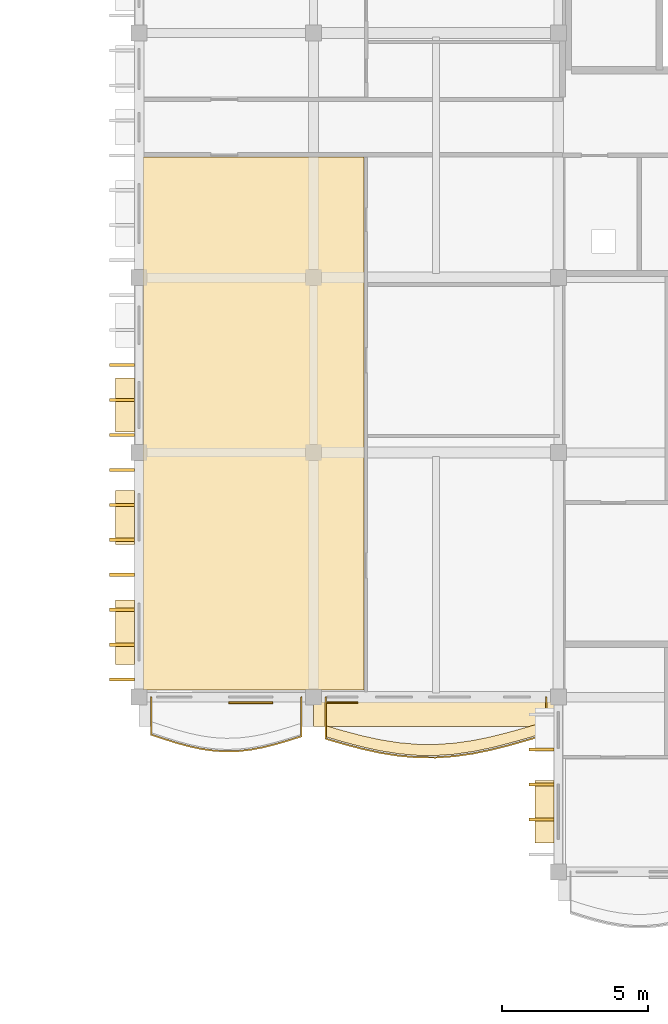
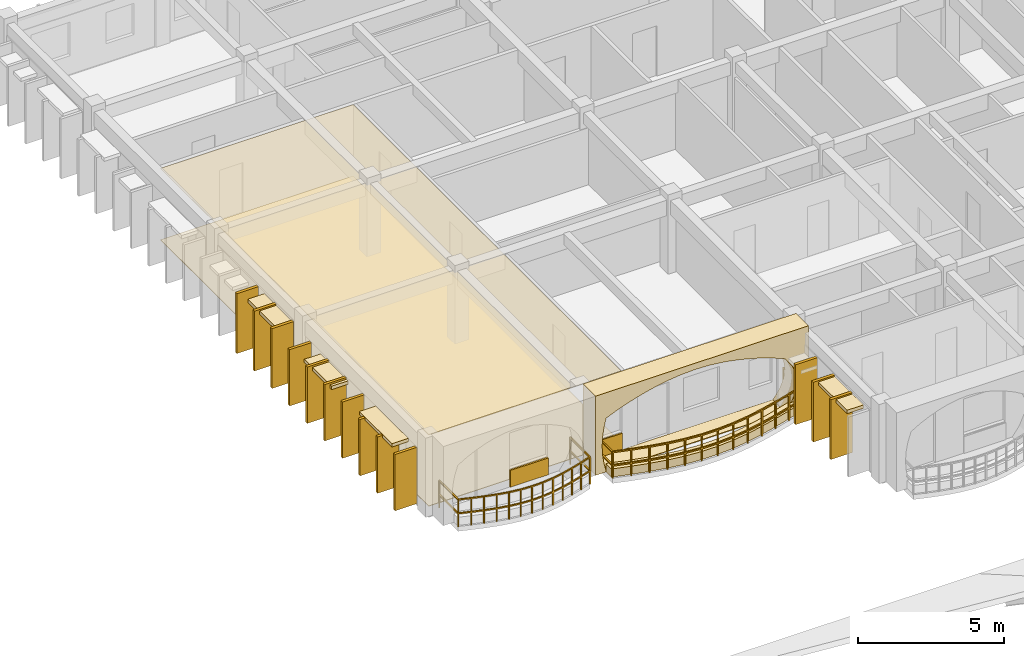
# One storey, part 91 of 101: 23 coverings, 2 railings.
"""IFC4 building model written with IfcOpenShell, lengths in metres."""

from ifc_helpers import new_model, si_unit, direction, frame, origin, origin_2d, place, context, subcontext, project, spatial, polyline, rectangle, outline, extrude, material, layer, layer_set, type_object, element, save


model = new_model("IFC4")

# Units and contexts
model_context = context("Model", 3, precision=1e-05, world=origin(), true_north=direction((0.0, 1.0)))
body_context = subcontext(model_context, "Body", "Model", "MODEL_VIEW")
ifc_project = project(units=[si_unit("LENGTHUNIT", "METRE"), si_unit("AREAUNIT", "SQUARE_METRE"), si_unit("VOLUMEUNIT", "CUBIC_METRE"), si_unit("PLANEANGLEUNIT", "RADIAN"), si_unit("MASSUNIT", "GRAM", prefix="KILO"), si_unit("THERMODYNAMICTEMPERATUREUNIT", "KELVIN")], contexts=[model_context])

# Site, building, storey
site_placement = place(None, origin())
site = spatial("IfcSite", under=ifc_project, at=site_placement, CompositionType="ELEMENT")
building_placement = place(site_placement, origin())
building = spatial("IfcBuilding", under=site, at=building_placement, Name="Thalorik Housing Commons", CompositionType="ELEMENT")
storey_placement = place(building_placement, frame((0.0, 0.0, 8.10009765625)))
storey = spatial("IfcBuildingStorey", under=building, at=storey_placement, Name="L02", CompositionType="ELEMENT", Elevation=8.10009765625)

# Coverings
ifc_material_1 = material(Name="Precast concrete C40/50", Category="concrete")
ifc_layer_1 = layer(ifc_material_1, 0.85009765625, Name="Precast concrete C40/50", Category="concrete")
ifc_layer_set_1 = layer_set([ifc_layer_1], Name="Precast concrete C40/50")
covering_type_1 = type_object("IfcCoveringType", Name="ARC-CLD-CUSH-850", PredefinedType="CLADDING", material=ifc_layer_set_1)
covering_1_placement = place(storey_placement, frame((148.199951171875, 42.62255859375, 0.0), z_axis=(0.0, 0.0, 1.0), x_axis=(1.0, 0.0, 0.0)))
element("IfcCovering", 1, at=covering_1_placement, inside=storey, type_object=covering_type_1, Name="L02 White Precast Curved Cushion Bay Frame 4657", PredefinedType="CLADDING", context=body_context, shape_type="SweptSolid", body=[
    extrude(outline(polyline([(-4.199951171875, 0.0), (4.199951171875, 0.0), (4.199951171875, 3.300048828125), (-4.199951171875, 3.300048828125), (-4.199951171875, 0.0)]), holes=[polyline([(3.280029296875, 0.02490234375), (3.541015625, 0.394287109375), (3.69775390625, 0.76318359375), (3.75, 1.132568359375), (3.69775390625, 1.501708984375), (3.541015625, 1.870849609375), (3.280029296875, 2.239990234375), (2.691650390625, 2.4833984375), (2.103271484375, 2.6748046875), (1.514892578125, 2.82958984375), (0.9267578125, 2.94482421875), (0.33837890625, 3.01611328125), (-0.25, 3.0400390625), (-0.83837890625, 3.01611328125), (-1.4267578125, 2.94482421875), (-2.014892578125, 2.82958984375), (-2.603271484375, 2.6748046875), (-3.191650390625, 2.4833984375), (-3.780029296875, 2.239990234375), (-3.86865234375, 1.870849609375), (-3.921875, 1.501708984375), (-3.939697265625, 1.132568359375), (-3.921875, 0.76318359375), (-3.86865234375, 0.394287109375), (-3.780029296875, 0.02490234375), (3.280029296875, 0.02490234375)])]), frame((0.0, 0.425048828125, 0.0), z_axis=(0.0, -1.0, 0.0), x_axis=(1.0, 0.0, 0.0)), (0.0, 0.0, 1.0), 0.85009765625),
])
ifc_layer_2 = layer(ifc_material_1, 0.85009765625, Name="Precast concrete C40/50", Category="concrete")
ifc_layer_set_2 = layer_set([ifc_layer_2], Name="Precast concrete C40/50")
covering_type_2 = type_object("IfcCoveringType", Name="ARC-CLD-FIN-850", PredefinedType="CLADDING", material=ifc_layer_set_2)
for number, where, z_axis, x_axis, name in (
    (2, (137.422607421875, 54.60009765625, 0.039794921875), (0.0, 0.0, 1.0), (0.0, -1.0, 0.0), "L02 Courtyard Precast Vertical Brise-Soleil Fin 4641"),
    (3, (137.422607421875, 53.39990234375, 0.039794921875), (0.0, 0.0, 1.0), (0.0, -1.0, 0.0), "L02 Courtyard Precast Vertical Brise-Soleil Fin 4642"),
    (4, (137.422607421875, 52.199951171875, 0.039794921875), (0.0, 0.0, 1.0), (0.0, -1.0, 0.0), "L02 Courtyard Precast Vertical Brise-Soleil Fin 4643"),
):
    element("IfcCovering", number, at=place(storey_placement, frame(where, z_axis=z_axis, x_axis=x_axis)), inside=storey, type_object=covering_type_2, Name=name, PredefinedType="CLADDING", context=body_context, shape_type="SweptSolid", body=[
        extrude(rectangle(XDim=0.110107421875, YDim=0.85009765625, at=origin_2d()), origin(), (0.0, 0.0, 1.0), 2.4951171875),
    ])
for number, where, z_axis, x_axis, name in (
    (5, (137.422607421875, 51.0, 0.0400390625), (0.0, 0.0, 1.0), (0.0, -1.0, 0.0), "L02 Courtyard Precast Vertical Brise-Soleil Fin 4646"),
    (6, (137.422607421875, 49.800048828125, 0.0400390625), (0.0, 0.0, 1.0), (0.0, -1.0, 0.0), "L02 Courtyard Precast Vertical Brise-Soleil Fin 4647"),
    (7, (137.422607421875, 48.60009765625, 0.0400390625), (0.0, 0.0, 1.0), (0.0, -1.0, 0.0), "L02 Courtyard Precast Vertical Brise-Soleil Fin 4648"),
    (8, (137.422607421875, 47.39990234375, 0.0400390625), (0.0, 0.0, 1.0), (0.0, -1.0, 0.0), "L02 Courtyard Precast Vertical Brise-Soleil Fin 4649"),
    (9, (137.422607421875, 46.199951171875, 0.0400390625), (0.0, 0.0, 1.0), (0.0, -1.0, 0.0), "L02 Courtyard Precast Vertical Brise-Soleil Fin 4650"),
    (10, (137.422607421875, 45.0, 0.0400390625), (0.0, 0.0, 1.0), (0.0, -1.0, 0.0), "L02 Courtyard Precast Vertical Brise-Soleil Fin 4651"),
    (11, (137.422607421875, 43.800048828125, 0.0400390625), (0.0, 0.0, 1.0), (0.0, -1.0, 0.0), "L02 Courtyard Precast Vertical Brise-Soleil Fin 4652"),
):
    element("IfcCovering", number, at=place(storey_placement, frame(where, z_axis=z_axis, x_axis=x_axis)), inside=storey, type_object=covering_type_2, Name=name, PredefinedType="CLADDING", context=body_context, shape_type="SweptSolid", body=[
        extrude(rectangle(XDim=0.110107421875, YDim=0.85009765625, at=origin_2d()), origin(), (0.0, 0.0, 1.0), 2.344970703125),
    ])
for number, where, z_axis, x_axis, name in (
    (12, (151.822509765625, 41.39990234375, 0.039794921875), (0.0, 0.0, 1.0), (0.0, -1.0, 0.0), "L02 Courtyard Precast Vertical Brise-Soleil Fin 4660"),
    (13, (151.822509765625, 40.199951171875, 0.039794921875), (0.0, 0.0, 1.0), (0.0, -1.0, 0.0), "L02 Courtyard Precast Vertical Brise-Soleil Fin 4661"),
    (14, (151.822509765625, 39.0, 0.039794921875), (0.0, 0.0, 1.0), (0.0, -1.0, 0.0), "L02 Courtyard Precast Vertical Brise-Soleil Fin 4662"),
):
    element("IfcCovering", number, at=place(storey_placement, frame(where, z_axis=z_axis, x_axis=x_axis)), inside=storey, type_object=covering_type_2, Name=name, PredefinedType="CLADDING", context=body_context, shape_type="SweptSolid", body=[
        extrude(rectangle(XDim=0.110107421875, YDim=0.85009765625, at=origin_2d()), origin(), (0.0, 0.0, 1.0), 2.4951171875),
    ])
ifc_layer_3 = layer(ifc_material_1, 0.64990234375, Name="Precast concrete C40/50", Category="concrete")
ifc_layer_set_3 = layer_set([ifc_layer_3], Name="Precast concrete C40/50")
covering_type_3 = type_object("IfcCoveringType", Name="ARC-CLD-HOOD-650", PredefinedType="CLADDING", material=ifc_layer_set_3)
covering_2_placement = place(storey_placement, frame((137.5224609375, 53.22998046875, 2.33984375), z_axis=(0.0, 0.0, 1.0), x_axis=(0.0, -1.0, 0.0)))
element("IfcCovering", 15, at=covering_2_placement, inside=storey, type_object=covering_type_3, Name="L02 Courtyard Precast Window Sun-Hood 4645", PredefinedType="CLADDING", context=body_context, shape_type="SweptSolid", body=[
    extrude(rectangle(XDim=1.840087890625, YDim=0.64990234375, at=origin_2d()), origin(), (0.0, 0.0, 1.0), 0.139892578125),
])
covering_3_placement = place(storey_placement, frame((137.5224609375, 49.3701171875, 2.169921875), z_axis=(0.0, 0.0, 1.0), x_axis=(0.0, -1.0, 0.0)))
element("IfcCovering", 16, at=covering_3_placement, inside=storey, type_object=covering_type_3, Name="L02 Courtyard Precast Window Sun-Hood 4653", PredefinedType="CLADDING", context=body_context, shape_type="SweptSolid", body=[
    extrude(rectangle(XDim=1.860107421875, YDim=0.64990234375, at=origin_2d()), origin(), (0.0, 0.0, 1.0), 0.139892578125),
])
covering_4_placement = place(storey_placement, frame((137.5224609375, 45.429931640625, 2.27490234375), z_axis=(0.0, 0.0, 1.0), x_axis=(0.0, -1.0, 0.0)))
element("IfcCovering", 17, at=covering_4_placement, inside=storey, type_object=covering_type_3, Name="L02 Courtyard Precast Window Sun-Hood 4654", PredefinedType="CLADDING", context=body_context, shape_type="SweptSolid", body=[
    extrude(rectangle(XDim=2.219970703125, YDim=0.64990234375, at=origin_2d()), origin(), (0.0, 0.0, 1.0), 0.139892578125),
])
covering_5_placement = place(storey_placement, frame((151.922607421875, 39.264892578125, 2.33984375), z_axis=(0.0, 0.0, 1.0), x_axis=(0.0, -1.0, 0.0)))
element("IfcCovering", 18, at=covering_5_placement, inside=storey, type_object=covering_type_3, Name="L02 Courtyard Precast Window Sun-Hood 4665", PredefinedType="CLADDING", context=body_context, shape_type="SweptSolid", body=[
    extrude(rectangle(XDim=2.139892578125, YDim=0.64990234375, at=origin_2d()), origin(), (0.0, 0.0, 1.0), 0.139892578125),
])
ifc_material_2 = material(Name="Terracotta red mineral fibre-cement panel", Category="masonry")
ifc_layer_4 = layer(ifc_material_2, 0.054931640625, Name="Terracotta red mineral fibre-cement panel", Category="masonry")
ifc_layer_set_4 = layer_set([ifc_layer_4], Name="Terracotta red mineral fibre-cement panel")
covering_type_4 = type_object("IfcCoveringType", Name="ARC-CLD-RED-55", PredefinedType="CLADDING", material=ifc_layer_set_4)
covering_6_placement = place(storey_placement, frame((144.9951171875, 43.014892578125, 0.0498046875), z_axis=(0.0, 0.0, 1.0), x_axis=(1.0, 0.0, 0.0)))
element("IfcCovering", 19, at=covering_6_placement, inside=storey, type_object=covering_type_4, Name="L02 De Stijl Recessed Window Spandrel 4658", PredefinedType="CLADDING", context=body_context, shape_type="SweptSolid", body=[
    extrude(rectangle(XDim=1.050048828125, YDim=0.054931640625, at=origin_2d()), origin(), (0.0, 0.0, 1.0), 0.699951171875),
])
ifc_material_3 = material(Name="Mineral ochre architectural terracotta panel", Category="masonry")
ifc_layer_5 = layer(ifc_material_3, 0.06494140625, Name="Mineral ochre architectural terracotta panel", Category="masonry")
ifc_layer_set_5 = layer_set([ifc_layer_5], Name="Mineral ochre architectural terracotta panel")
covering_type_5 = type_object("IfcCoveringType", Name="ARC-CLD-YEL-65", PredefinedType="CLADDING", material=ifc_layer_set_5)
covering_7_placement = place(storey_placement, frame((141.840087890625, 43.010009765625, 0.0498046875), z_axis=(0.0, 0.0, 1.0), x_axis=(1.0, 0.0, 0.0)))
element("IfcCovering", 20, at=covering_7_placement, inside=storey, type_object=covering_type_5, Name="L02 De Stijl Recessed Window Spandrel 4656", PredefinedType="CLADDING", context=body_context, shape_type="SweptSolid", body=[
    extrude(rectangle(XDim=1.5, YDim=0.06494140625, at=origin_2d()), origin(), (0.0, 0.0, 1.0), 0.699951171875),
])
ifc_material_4 = material(Name="Moisture-resistant gypsum bathroom ceiling")
ifc_layer_6 = layer(ifc_material_4, 0.02490234375, Name="Moisture-resistant gypsum bathroom ceiling")
ifc_layer_set_6 = layer_set([ifc_layer_6], Name="Moisture-resistant gypsum bathroom ceiling")
covering_type_6 = type_object("IfcCoveringType", Name="ARC-COV-CEIL-04", PredefinedType="CEILING", material=ifc_layer_set_6)
covering_8_placement = place(storey_placement, frame((0.0, 0.0, 2.974853515625)))
element("IfcCovering", 21, at=covering_8_placement, inside=storey, type_object=covering_type_6, Name="L02 Living Dining Room Suspended Ceiling", PredefinedType="CEILING", context=body_context, shape_type="SweptSolid", body=[
    extrude(outline(polyline([(145.72998046875, 43.43994140625), (145.72998046875, 61.739990234375), (138.139892578125, 61.739990234375), (138.139892578125, 43.43994140625), (145.72998046875, 43.43994140625)])), origin(), (0.0, 0.0, 1.0), 0.025146484375),
])
ifc_material_5 = material(Name="Sprung Brazilian oak assembly hall timber floor", Category="wood")
ifc_layer_7 = layer(ifc_material_5, 0.02392578125, Name="Sprung Brazilian oak assembly hall timber floor", Category="wood")
ifc_layer_set_7 = layer_set([ifc_layer_7], Name="Sprung Brazilian oak assembly hall timber floor")
covering_type_7 = type_object("IfcCoveringType", Name="ARC-COV-FLR-04", PredefinedType="FLOORING", material=ifc_layer_set_7)
covering_9_placement = place(storey_placement, origin())
element("IfcCovering", 22, at=covering_9_placement, inside=storey, type_object=covering_type_7, Name="L02 Living Dining Room Flooring", PredefinedType="FLOORING", context=body_context, shape_type="SweptSolid", body=[
    extrude(outline(polyline([(145.72998046875, 43.43994140625), (145.72998046875, 61.739990234375), (138.139892578125, 61.739990234375), (138.139892578125, 43.43994140625), (145.72998046875, 43.43994140625)])), origin(), (0.0, 0.0, 1.0), 0.02392578125),
])
ifc_material_6 = material(Name="Planted vegetated substrate and terracotta trough", Category="masonry")
ifc_layer_8 = layer(ifc_material_6, 0.340087890625, Name="Planted vegetated substrate and terracotta trough", Category="masonry")
ifc_layer_set_8 = layer_set([ifc_layer_8], Name="Planted vegetated substrate and terracotta trough")
covering_type_8 = type_object("IfcCoveringType", Name="ARC-COV-PLANTER", PredefinedType="USERDEFINED", material=ifc_layer_set_8)
covering_10_placement = place(storey_placement, origin())
element("IfcCovering", 23, at=covering_10_placement, inside=storey, type_object=covering_type_8, Name="L02 Balcony Slab-Edge Planted Trough 5654", ObjectType="PLANTER", PredefinedType="USERDEFINED", context=body_context, shape_type="SweptSolid", body=[
    extrude(outline(polyline([(144.419921875, 41.836181640625), (145.050048828125, 41.653076171875), (145.679931640625, 41.487548828125), (146.31005859375, 41.35107421875), (146.93994140625, 41.252685546875), (147.570068359375, 41.19921875), (148.199951171875, 41.194580078125), (148.830078125, 41.23876953125), (149.4599609375, 41.328369140625), (150.090087890625, 41.45751953125), (150.719970703125, 41.61669921875), (151.35009765625, 41.795166015625), (151.97998046875, 41.980712890625), (151.97998046875, 42.360595703125), (151.35009765625, 42.17529296875), (150.719970703125, 41.99658203125), (150.090087890625, 41.83740234375), (149.4599609375, 41.708251953125), (148.830078125, 41.61865234375), (148.199951171875, 41.57470703125), (147.570068359375, 41.579345703125), (146.93994140625, 41.632568359375), (146.31005859375, 41.73095703125), (145.679931640625, 41.86767578125), (145.050048828125, 42.033203125), (144.419921875, 42.21630859375), (144.419921875, 41.836181640625)])), origin(), (0.0, 0.0, 1.0), 0.33984375),
])

# Railings
ifc_material_7 = material(Name="Steel S355", Category="steel")
railing_type_1 = type_object("IfcRailingType", Name="ARC-RL-BAL-112", PredefinedType="BALUSTRADE", material=ifc_material_7)
railing_1_placement = place(storey_placement, frame((144.419921875, 43.199951171875, 0.0)))
element("IfcRailing", 24, at=railing_1_placement, inside=storey, type_object=railing_type_1, Name="L02 Cushion Balcony Guardrail 338", PredefinedType="BALUSTRADE", context=body_context, shape_type="SweptSolid", body=[
    extrude(rectangle(XDim=0.050048828125, YDim=0.050048828125, at=origin_2d()), frame((0.0, 0.0, 1.09521484375), z_axis=(0.0, -1.0, 0.0), x_axis=(1.0, 0.0, 0.0)), (0.0, 0.0, 1.0), 1.433837890625),
    extrude(rectangle(XDim=0.050048828125, YDim=0.050048828125, at=origin_2d()), frame((0.0, 0.0, 0.53515625), z_axis=(0.0, -1.0, 0.0), x_axis=(1.0, 0.0, 0.0)), (0.0, 0.0, 1.0), 1.433837890625),
    extrude(rectangle(XDim=0.050048828125, YDim=0.050048828125, at=origin_2d()), frame((0.0, -1.433837890625, 1.09521484375), z_axis=(0.960278714224, -0.279042632959, 0.0), x_axis=(0.279042632959, 0.960278714224, 0.0)), (0.0, 0.0, 1.0), 0.65625),
    extrude(rectangle(XDim=0.050048828125, YDim=0.050048828125, at=origin_2d()), frame((0.0, -1.433837890625, 0.53515625), z_axis=(0.960278714224, -0.279042632959, 0.0), x_axis=(0.279042632959, 0.960278714224, 0.0)), (0.0, 0.0, 1.0), 0.65625),
    extrude(rectangle(XDim=0.050048828125, YDim=0.050048828125, at=origin_2d()), frame((0.630126953125, -1.616943359375, 1.09521484375), z_axis=(0.967161884904, -0.254161146498, 0.0), x_axis=(0.254161146498, 0.967161884904, 0.0)), (0.0, 0.0, 1.0), 0.6513671875),
    extrude(rectangle(XDim=0.050048828125, YDim=0.050048828125, at=origin_2d()), frame((0.630126953125, -1.616943359375, 0.53515625), z_axis=(0.967161884904, -0.254161146498, 0.0), x_axis=(0.254161146498, 0.967161884904, 0.0)), (0.0, 0.0, 1.0), 0.6513671875),
    extrude(rectangle(XDim=0.050048828125, YDim=0.050048828125, at=origin_2d()), frame((1.260009765625, -1.782470703125, 1.09521484375), z_axis=(0.977340116127, -0.211674980595, 0.0), x_axis=(0.211674980595, 0.977340116127, 0.0)), (0.0, 0.0, 1.0), 0.644775390625),
    extrude(rectangle(XDim=0.050048828125, YDim=0.050048828125, at=origin_2d()), frame((1.260009765625, -1.782470703125, 0.53515625), z_axis=(0.977340116127, -0.211674980595, 0.0), x_axis=(0.211674980595, 0.977340116127, 0.0)), (0.0, 0.0, 1.0), 0.644775390625),
    extrude(rectangle(XDim=0.050048828125, YDim=0.050048828125, at=origin_2d()), frame((1.89013671875, -1.9189453125, 1.09521484375), z_axis=(0.988019333947, -0.154330151775, 0.0), x_axis=(0.154330151775, 0.988019333947, 0.0)), (0.0, 0.0, 1.0), 0.637451171875),
    extrude(rectangle(XDim=0.050048828125, YDim=0.050048828125, at=origin_2d()), frame((1.89013671875, -1.9189453125, 0.53515625), z_axis=(0.988019333947, -0.154330151775, 0.0), x_axis=(0.154330151775, 0.988019333947, 0.0)), (0.0, 0.0, 1.0), 0.637451171875),
    extrude(rectangle(XDim=0.050048828125, YDim=0.050048828125, at=origin_2d()), frame((2.52001953125, -2.017333984375, 1.09521484375), z_axis=(0.996451941002, -0.084163705207, 0.0), x_axis=(0.084163705207, 0.996451941002, 0.0)), (0.0, 0.0, 1.0), 0.63232421875),
    extrude(rectangle(XDim=0.050048828125, YDim=0.050048828125, at=origin_2d()), frame((2.52001953125, -2.017333984375, 0.53515625), z_axis=(0.996451941002, -0.084163705207, 0.0), x_axis=(0.084163705207, 0.996451941002, 0.0)), (0.0, 0.0, 1.0), 0.63232421875),
    extrude(rectangle(XDim=0.050048828125, YDim=0.050048828125, at=origin_2d()), frame((3.150146484375, -2.070556640625, 1.09521484375), z_axis=(0.999969955083, -0.007751705078, 0.0), x_axis=(0.007751705078, 0.999969955083, 0.0)), (0.0, 0.0, 1.0), 0.6298828125),
    extrude(rectangle(XDim=0.050048828125, YDim=0.050048828125, at=origin_2d()), frame((3.150146484375, -2.070556640625, 0.53515625), z_axis=(0.999969955083, -0.007751705078, 0.0), x_axis=(0.007751705078, 0.999969955083, 0.0)), (0.0, 0.0, 1.0), 0.6298828125),
    extrude(rectangle(XDim=0.050048828125, YDim=0.050048828125, at=origin_2d()), frame((3.780029296875, -2.075439453125, 1.09521484375), z_axis=(0.997550074509, 0.069956049394, 0.0), x_axis=(-0.069956049394, 0.997550074509, 0.0)), (0.0, 0.0, 1.0), 0.631591796875),
    extrude(rectangle(XDim=0.050048828125, YDim=0.050048828125, at=origin_2d()), frame((3.780029296875, -2.075439453125, 0.53515625), z_axis=(0.997550074509, 0.069956049394, 0.0), x_axis=(-0.069956049394, 0.997550074509, 0.0)), (0.0, 0.0, 1.0), 0.631591796875),
    extrude(rectangle(XDim=0.050048828125, YDim=0.050048828125, at=origin_2d()), frame((4.41015625, -2.03125, 1.09521484375), z_axis=(0.990033738759, 0.140830380668, 0.0), x_axis=(-0.140830380668, 0.990033738759, 0.0)), (0.0, 0.0, 1.0), 0.63623046875),
    extrude(rectangle(XDim=0.050048828125, YDim=0.050048828125, at=origin_2d()), frame((4.41015625, -2.03125, 0.53515625), z_axis=(0.990033738759, 0.140830380668, 0.0), x_axis=(-0.140830380668, 0.990033738759, 0.0)), (0.0, 0.0, 1.0), 0.63623046875),
    extrude(rectangle(XDim=0.050048828125, YDim=0.050048828125, at=origin_2d()), frame((5.0400390625, -1.941650390625, 1.09521484375), z_axis=(0.979635255397, 0.200785373927, 0.0), x_axis=(-0.200785373927, 0.979635255397, 0.0)), (0.0, 0.0, 1.0), 0.643310546875),
    extrude(rectangle(XDim=0.050048828125, YDim=0.050048828125, at=origin_2d()), frame((5.0400390625, -1.941650390625, 0.53515625), z_axis=(0.979635255397, 0.200785373927, 0.0), x_axis=(-0.200785373927, 0.979635255397, 0.0)), (0.0, 0.0, 1.0), 0.643310546875),
    extrude(rectangle(XDim=0.050048828125, YDim=0.050048828125, at=origin_2d()), frame((5.670166015625, -1.8125, 1.09521484375), z_axis=(0.969520404283, 0.245010582788, 0.0), x_axis=(-0.245010582788, 0.969520404283, 0.0)), (0.0, 0.0, 1.0), 0.649658203125),
    extrude(rectangle(XDim=0.050048828125, YDim=0.050048828125, at=origin_2d()), frame((5.670166015625, -1.8125, 0.53515625), z_axis=(0.969520404283, 0.245010582788, 0.0), x_axis=(-0.245010582788, 0.969520404283, 0.0)), (0.0, 0.0, 1.0), 0.649658203125),
    extrude(rectangle(XDim=0.050048828125, YDim=0.050048828125, at=origin_2d()), frame((6.300048828125, -1.6533203125, 1.09521484375), z_axis=(0.962154423702, 0.272504798034, 0.0), x_axis=(-0.272504798034, 0.962154423702, 0.0)), (0.0, 0.0, 1.0), 0.655029296875),
    extrude(rectangle(XDim=0.050048828125, YDim=0.050048828125, at=origin_2d()), frame((6.300048828125, -1.6533203125, 0.53515625), z_axis=(0.962154423702, 0.272504798034, 0.0), x_axis=(-0.272504798034, 0.962154423702, 0.0)), (0.0, 0.0, 1.0), 0.655029296875),
    extrude(rectangle(XDim=0.050048828125, YDim=0.050048828125, at=origin_2d()), frame((6.93017578125, -1.474853515625, 1.09521484375), z_axis=(0.959247009086, 0.282568886397, 0.0), x_axis=(-0.282568886397, 0.959247009086, 0.0)), (0.0, 0.0, 1.0), 0.65673828125),
    extrude(rectangle(XDim=0.050048828125, YDim=0.050048828125, at=origin_2d()), frame((6.93017578125, -1.474853515625, 0.53515625), z_axis=(0.959247009086, 0.282568886397, 0.0), x_axis=(-0.282568886397, 0.959247009086, 0.0)), (0.0, 0.0, 1.0), 0.65673828125),
    extrude(rectangle(XDim=0.050048828125, YDim=0.050048828125, at=origin_2d()), frame((7.56005859375, -1.289306640625, 1.09521484375), z_axis=(0.0, 1.0, 0.0), x_axis=(-1.0, 0.0, 0.0)), (0.0, 0.0, 1.0), 1.289306640625),
    extrude(rectangle(XDim=0.050048828125, YDim=0.050048828125, at=origin_2d()), frame((7.56005859375, -1.289306640625, 0.53515625), z_axis=(0.0, 1.0, 0.0), x_axis=(-1.0, 0.0, 0.0)), (0.0, 0.0, 1.0), 1.289306640625),
    extrude(rectangle(XDim=0.0419921875, YDim=0.0419921875, at=origin_2d()), origin(), (0.0, 0.0, 1.0), 1.070068359375),
    extrude(rectangle(XDim=0.0419921875, YDim=0.0419921875, at=origin_2d()), frame((0.0, -1.433837890625, 0.0)), (0.0, 0.0, 1.0), 1.070068359375),
    extrude(rectangle(XDim=0.0419921875, YDim=0.0419921875, at=origin_2d()), frame((0.630126953125, -1.616943359375, 0.0)), (0.0, 0.0, 1.0), 1.070068359375),
    extrude(rectangle(XDim=0.0419921875, YDim=0.0419921875, at=origin_2d()), frame((1.260009765625, -1.782470703125, 0.0)), (0.0, 0.0, 1.0), 1.070068359375),
    extrude(rectangle(XDim=0.0419921875, YDim=0.0419921875, at=origin_2d()), frame((1.89013671875, -1.9189453125, 0.0)), (0.0, 0.0, 1.0), 1.070068359375),
    extrude(rectangle(XDim=0.0419921875, YDim=0.0419921875, at=origin_2d()), frame((2.52001953125, -2.017333984375, 0.0)), (0.0, 0.0, 1.0), 1.070068359375),
    extrude(rectangle(XDim=0.0419921875, YDim=0.0419921875, at=origin_2d()), frame((3.150146484375, -2.070556640625, 0.0)), (0.0, 0.0, 1.0), 1.070068359375),
    extrude(rectangle(XDim=0.0419921875, YDim=0.0419921875, at=origin_2d()), frame((3.780029296875, -2.075439453125, 0.0)), (0.0, 0.0, 1.0), 1.070068359375),
    extrude(rectangle(XDim=0.0419921875, YDim=0.0419921875, at=origin_2d()), frame((4.41015625, -2.03125, 0.0)), (0.0, 0.0, 1.0), 1.070068359375),
    extrude(rectangle(XDim=0.0419921875, YDim=0.0419921875, at=origin_2d()), frame((5.0400390625, -1.941650390625, 0.0)), (0.0, 0.0, 1.0), 1.070068359375),
    extrude(rectangle(XDim=0.0419921875, YDim=0.0419921875, at=origin_2d()), frame((5.670166015625, -1.8125, 0.0)), (0.0, 0.0, 1.0), 1.070068359375),
    extrude(rectangle(XDim=0.0419921875, YDim=0.0419921875, at=origin_2d()), frame((6.300048828125, -1.6533203125, 0.0)), (0.0, 0.0, 1.0), 1.070068359375),
    extrude(rectangle(XDim=0.0419921875, YDim=0.0419921875, at=origin_2d()), frame((6.93017578125, -1.474853515625, 0.0)), (0.0, 0.0, 1.0), 1.070068359375),
    extrude(rectangle(XDim=0.0419921875, YDim=0.0419921875, at=origin_2d()), frame((7.56005859375, -1.289306640625, 0.0)), (0.0, 0.0, 1.0), 1.070068359375),
    extrude(rectangle(XDim=0.0419921875, YDim=0.0419921875, at=origin_2d()), frame((7.56005859375, 0.0, 0.0)), (0.0, 0.0, 1.0), 1.070068359375),
])
railing_type_2 = type_object("IfcRailingType", Name="ARC-RL-BAL-115", PredefinedType="BALUSTRADE", material=ifc_material_7)
railing_2_placement = place(storey_placement, frame((138.419921875, 43.199951171875, 0.0)))
element("IfcRailing", 25, at=railing_2_placement, inside=storey, type_object=railing_type_2, Name="L02 Cushion Balcony Guardrail 337", PredefinedType="BALUSTRADE", context=body_context, shape_type="SweptSolid", body=[
    extrude(rectangle(XDim=0.050048828125, YDim=0.050048828125, at=origin_2d()), frame((0.0, 0.0, 1.125), z_axis=(0.0, -1.0, 0.0), x_axis=(1.0, 0.0, 0.0)), (0.0, 0.0, 1.0), 1.291748046875),
    extrude(rectangle(XDim=0.050048828125, YDim=0.050048828125, at=origin_2d()), frame((0.0, 0.0, 0.5498046875), z_axis=(0.0, -1.0, 0.0), x_axis=(1.0, 0.0, 0.0)), (0.0, 0.0, 1.0), 1.291748046875),
    extrude(rectangle(XDim=0.050048828125, YDim=0.050048828125, at=origin_2d()), frame((0.0, -1.291748046875, 1.125), z_axis=(0.949059662194, -0.31509642587, 0.0), x_axis=(0.31509642587, 0.949059662194, 0.0)), (0.0, 0.0, 1.0), 0.453369140625),
    extrude(rectangle(XDim=0.050048828125, YDim=0.050048828125, at=origin_2d()), frame((0.0, -1.291748046875, 0.5498046875), z_axis=(0.949059662194, -0.31509642587, 0.0), x_axis=(0.31509642587, 0.949059662194, 0.0)), (0.0, 0.0, 1.0), 0.453369140625),
    extrude(rectangle(XDim=0.050048828125, YDim=0.050048828125, at=origin_2d()), frame((0.43017578125, -1.4345703125, 1.125), z_axis=(0.953909569084, -0.300094208559, 0.0), x_axis=(0.300094208559, 0.953909569084, 0.0)), (0.0, 0.0, 1.0), 0.45068359375),
    extrude(rectangle(XDim=0.050048828125, YDim=0.050048828125, at=origin_2d()), frame((0.43017578125, -1.4345703125, 0.5498046875), z_axis=(0.953909569084, -0.300094208559, 0.0), x_axis=(0.300094208559, 0.953909569084, 0.0)), (0.0, 0.0, 1.0), 0.45068359375),
    extrude(rectangle(XDim=0.050048828125, YDim=0.050048828125, at=origin_2d()), frame((0.860107421875, -1.56982421875, 1.125), z_axis=(0.964243880098, -0.265016489476, 0.0), x_axis=(0.265016489476, 0.964243880098, 0.0)), (0.0, 0.0, 1.0), 0.44580078125),
    extrude(rectangle(XDim=0.050048828125, YDim=0.050048828125, at=origin_2d()), frame((0.860107421875, -1.56982421875, 0.5498046875), z_axis=(0.964243880098, -0.265016489476, 0.0), x_axis=(0.265016489476, 0.964243880098, 0.0)), (0.0, 0.0, 1.0), 0.44580078125),
    extrude(rectangle(XDim=0.050048828125, YDim=0.050048828125, at=origin_2d()), frame((1.2900390625, -1.68798828125, 1.125), z_axis=(0.977500851063, -0.210931472688, 0.0), x_axis=(0.210931472688, 0.977500851063, 0.0)), (0.0, 0.0, 1.0), 0.43994140625),
    extrude(rectangle(XDim=0.050048828125, YDim=0.050048828125, at=origin_2d()), frame((1.2900390625, -1.68798828125, 0.5498046875), z_axis=(0.977500851063, -0.210931472688, 0.0), x_axis=(0.210931472688, 0.977500851063, 0.0)), (0.0, 0.0, 1.0), 0.43994140625),
    extrude(rectangle(XDim=0.050048828125, YDim=0.050048828125, at=origin_2d()), frame((1.719970703125, -1.78076171875, 1.125), z_axis=(0.990161907406, -0.139926398947, 0.0), x_axis=(0.139926398947, 0.990161907406, 0.0)), (0.0, 0.0, 1.0), 0.4345703125),
    extrude(rectangle(XDim=0.050048828125, YDim=0.050048828125, at=origin_2d()), frame((1.719970703125, -1.78076171875, 0.5498046875), z_axis=(0.990161907406, -0.139926398947, 0.0), x_axis=(0.139926398947, 0.990161907406, 0.0)), (0.0, 0.0, 1.0), 0.4345703125),
    extrude(rectangle(XDim=0.050048828125, YDim=0.050048828125, at=origin_2d()), frame((2.150146484375, -1.841552734375, 1.125), z_axis=(0.998391568726, -0.056694580848, 0.0), x_axis=(0.056694580848, 0.998391568726, 0.0)), (0.0, 0.0, 1.0), 0.4306640625),
    extrude(rectangle(XDim=0.050048828125, YDim=0.050048828125, at=origin_2d()), frame((2.150146484375, -1.841552734375, 0.5498046875), z_axis=(0.998391568726, -0.056694580848, 0.0), x_axis=(0.056694580848, 0.998391568726, 0.0)), (0.0, 0.0, 1.0), 0.4306640625),
    extrude(rectangle(XDim=0.050048828125, YDim=0.050048828125, at=origin_2d()), frame((2.580078125, -1.865966796875, 1.125), z_axis=(0.999547406705, 0.030082914569, 0.0), x_axis=(-0.030082914569, 0.999547406705, 0.0)), (0.0, 0.0, 1.0), 0.43017578125),
    extrude(rectangle(XDim=0.050048828125, YDim=0.050048828125, at=origin_2d()), frame((2.580078125, -1.865966796875, 0.5498046875), z_axis=(0.999547406705, 0.030082914569, 0.0), x_axis=(-0.030082914569, 0.999547406705, 0.0)), (0.0, 0.0, 1.0), 0.43017578125),
    extrude(rectangle(XDim=0.050048828125, YDim=0.050048828125, at=origin_2d()), frame((3.010009765625, -1.85302734375, 1.125), z_axis=(0.993364417942, 0.115009274268, 0.0), x_axis=(-0.115009274268, 0.993364417942, 0.0)), (0.0, 0.0, 1.0), 0.43310546875),
    extrude(rectangle(XDim=0.050048828125, YDim=0.050048828125, at=origin_2d()), frame((3.010009765625, -1.85302734375, 0.5498046875), z_axis=(0.993364417942, 0.115009274268, 0.0), x_axis=(-0.115009274268, 0.993364417942, 0.0)), (0.0, 0.0, 1.0), 0.43310546875),
    extrude(rectangle(XDim=0.050048828125, YDim=0.050048828125, at=origin_2d()), frame((3.440185546875, -1.80322265625, 1.125), z_axis=(0.982177105066, 0.187957799209, 0.0), x_axis=(-0.187957799209, 0.982177105066, 0.0)), (0.0, 0.0, 1.0), 0.437744140625),
    extrude(rectangle(XDim=0.050048828125, YDim=0.050048828125, at=origin_2d()), frame((3.440185546875, -1.80322265625, 0.5498046875), z_axis=(0.982177105066, 0.187957799209, 0.0), x_axis=(-0.187957799209, 0.982177105066, 0.0)), (0.0, 0.0, 1.0), 0.437744140625),
    extrude(rectangle(XDim=0.050048828125, YDim=0.050048828125, at=origin_2d()), frame((3.8701171875, -1.720947265625, 1.125), z_axis=(0.969262026984, 0.246030735981, 0.0), x_axis=(-0.246030735981, 0.969262026984, 0.0)), (0.0, 0.0, 1.0), 0.443603515625),
    extrude(rectangle(XDim=0.050048828125, YDim=0.050048828125, at=origin_2d()), frame((3.8701171875, -1.720947265625, 0.5498046875), z_axis=(0.969262026984, 0.246030735981, 0.0), x_axis=(-0.246030735981, 0.969262026984, 0.0)), (0.0, 0.0, 1.0), 0.443603515625),
    extrude(rectangle(XDim=0.050048828125, YDim=0.050048828125, at=origin_2d()), frame((4.300048828125, -1.61181640625, 1.125), z_axis=(0.958616693349, 0.284699903817, 0.0), x_axis=(-0.284699903817, 0.958616693349, 0.0)), (0.0, 0.0, 1.0), 0.448486328125),
    extrude(rectangle(XDim=0.050048828125, YDim=0.050048828125, at=origin_2d()), frame((4.300048828125, -1.61181640625, 0.5498046875), z_axis=(0.958616693349, 0.284699903817, 0.0), x_axis=(-0.284699903817, 0.958616693349, 0.0)), (0.0, 0.0, 1.0), 0.448486328125),
    extrude(rectangle(XDim=0.050048828125, YDim=0.050048828125, at=origin_2d()), frame((4.72998046875, -1.484130859375, 1.125), z_axis=(0.952868945001, 0.303382223692, 0.0), x_axis=(-0.303382223692, 0.952868945001, 0.0)), (0.0, 0.0, 1.0), 0.451416015625),
    extrude(rectangle(XDim=0.050048828125, YDim=0.050048828125, at=origin_2d()), frame((4.72998046875, -1.484130859375, 0.5498046875), z_axis=(0.952868945001, 0.303382223692, 0.0), x_axis=(-0.303382223692, 0.952868945001, 0.0)), (0.0, 0.0, 1.0), 0.451416015625),
    extrude(rectangle(XDim=0.050048828125, YDim=0.050048828125, at=origin_2d()), frame((5.16015625, -1.34716796875, 1.125), z_axis=(0.0, 1.0, 0.0), x_axis=(-1.0, 0.0, 0.0)), (0.0, 0.0, 1.0), 1.34716796875),
    extrude(rectangle(XDim=0.050048828125, YDim=0.050048828125, at=origin_2d()), frame((5.16015625, -1.34716796875, 0.5498046875), z_axis=(0.0, 1.0, 0.0), x_axis=(-1.0, 0.0, 0.0)), (0.0, 0.0, 1.0), 1.34716796875),
    extrude(rectangle(XDim=0.0419921875, YDim=0.0419921875, at=origin_2d()), origin(), (0.0, 0.0, 1.0), 1.099853515625),
    extrude(rectangle(XDim=0.0419921875, YDim=0.0419921875, at=origin_2d()), frame((0.0, -1.291748046875, 0.0)), (0.0, 0.0, 1.0), 1.099853515625),
    extrude(rectangle(XDim=0.0419921875, YDim=0.0419921875, at=origin_2d()), frame((0.43017578125, -1.4345703125, 0.0)), (0.0, 0.0, 1.0), 1.099853515625),
    extrude(rectangle(XDim=0.0419921875, YDim=0.0419921875, at=origin_2d()), frame((0.860107421875, -1.56982421875, 0.0)), (0.0, 0.0, 1.0), 1.099853515625),
    extrude(rectangle(XDim=0.0419921875, YDim=0.0419921875, at=origin_2d()), frame((1.2900390625, -1.68798828125, 0.0)), (0.0, 0.0, 1.0), 1.099853515625),
    extrude(rectangle(XDim=0.0419921875, YDim=0.0419921875, at=origin_2d()), frame((1.719970703125, -1.78076171875, 0.0)), (0.0, 0.0, 1.0), 1.099853515625),
    extrude(rectangle(XDim=0.0419921875, YDim=0.0419921875, at=origin_2d()), frame((2.150146484375, -1.841552734375, 0.0)), (0.0, 0.0, 1.0), 1.099853515625),
    extrude(rectangle(XDim=0.0419921875, YDim=0.0419921875, at=origin_2d()), frame((2.580078125, -1.865966796875, 0.0)), (0.0, 0.0, 1.0), 1.099853515625),
    extrude(rectangle(XDim=0.0419921875, YDim=0.0419921875, at=origin_2d()), frame((3.010009765625, -1.85302734375, 0.0)), (0.0, 0.0, 1.0), 1.099853515625),
    extrude(rectangle(XDim=0.0419921875, YDim=0.0419921875, at=origin_2d()), frame((3.440185546875, -1.80322265625, 0.0)), (0.0, 0.0, 1.0), 1.099853515625),
    extrude(rectangle(XDim=0.0419921875, YDim=0.0419921875, at=origin_2d()), frame((3.8701171875, -1.720947265625, 0.0)), (0.0, 0.0, 1.0), 1.099853515625),
    extrude(rectangle(XDim=0.0419921875, YDim=0.0419921875, at=origin_2d()), frame((4.300048828125, -1.61181640625, 0.0)), (0.0, 0.0, 1.0), 1.099853515625),
    extrude(rectangle(XDim=0.0419921875, YDim=0.0419921875, at=origin_2d()), frame((4.72998046875, -1.484130859375, 0.0)), (0.0, 0.0, 1.0), 1.099853515625),
    extrude(rectangle(XDim=0.0419921875, YDim=0.0419921875, at=origin_2d()), frame((5.16015625, -1.34716796875, 0.0)), (0.0, 0.0, 1.0), 1.099853515625),
    extrude(rectangle(XDim=0.0419921875, YDim=0.0419921875, at=origin_2d()), frame((5.16015625, 0.0, 0.0)), (0.0, 0.0, 1.0), 1.099853515625),
])

save(model, "model.ifc")
